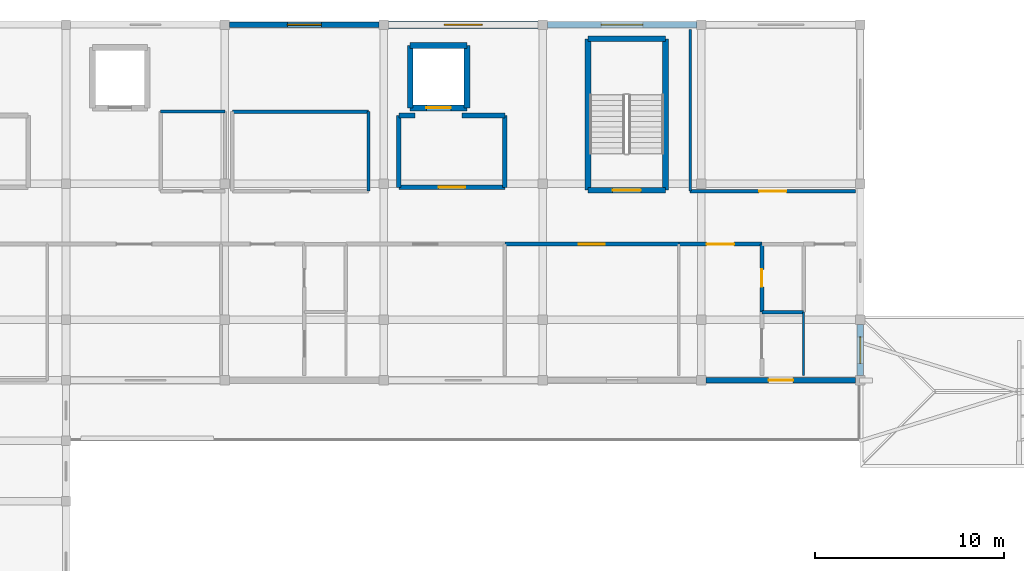
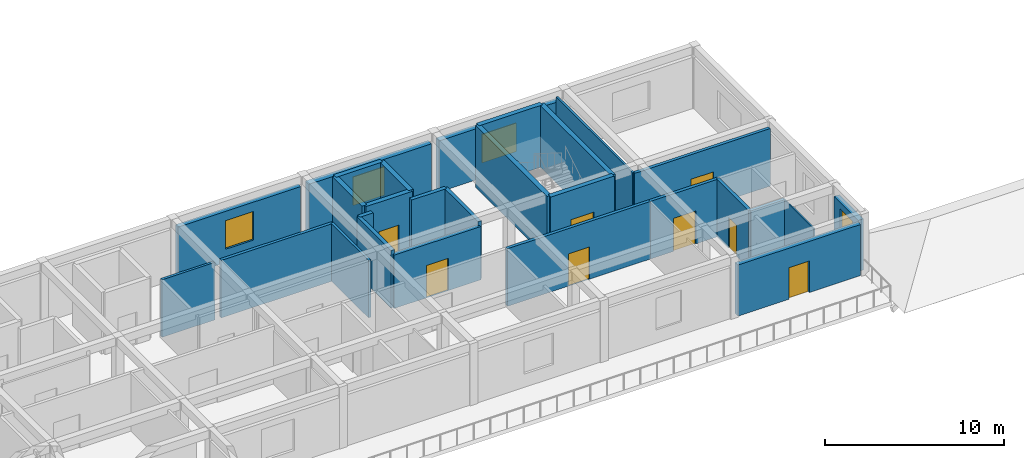
# One storey, part 13 of 26: 28 walls, 8 doors, 4 windows, 12 openings.
"""IFC4 building model written with IfcOpenShell, lengths in metres."""

from ifc_helpers import new_model, si_unit, direction, frame, frame_2d, origin, place, context, subcontext, project, spatial, rectangle, extrude, material, layer, layer_set, type_object, element, fill, save


model = new_model("IFC4")

# Units and contexts
model_context = context("Model", 3, precision=1e-05, world=origin(), true_north=direction((0.0, 1.0)))
body_context = subcontext(model_context, "Body", "Model", "MODEL_VIEW")
ifc_project = project(units=[si_unit("LENGTHUNIT", "METRE"), si_unit("AREAUNIT", "SQUARE_METRE"), si_unit("VOLUMEUNIT", "CUBIC_METRE"), si_unit("PLANEANGLEUNIT", "RADIAN"), si_unit("MASSUNIT", "GRAM", prefix="KILO")], contexts=[model_context])

# Site, building, storey
site_placement = place(None, origin())
site = spatial("IfcSite", under=ifc_project, at=site_placement, CompositionType="ELEMENT")
building_placement = place(site_placement, origin())
building = spatial("IfcBuilding", under=site, at=building_placement, Name="Varncliffe General Hospital", CompositionType="ELEMENT")
storey_placement = place(building_placement, frame((0.0, 0.0, 28.800048828125)))
storey = spatial("IfcBuildingStorey", under=building, at=storey_placement, Name="L06", CompositionType="ELEMENT", Elevation=28.800048828125)

# Wall, opening, door
ifc_material_1 = material(Name="Precast concrete C40/50 with insulated cream lime-cement stucco", Category="concrete")
ifc_layer_1 = layer(ifc_material_1, 0.31005859375)
ifc_layer_set_1 = layer_set([ifc_layer_1], Name="Precast concrete C40/50 with insulated cream lime-cement stucco")
wall_type_1 = type_object("IfcWallType", Name="Exterior Insulated Stucco Wall EW20 (310mm)", PredefinedType="SOLIDWALL", material=ifc_layer_set_1)
wall_1_placement = place(storey_placement, frame((66.951904296875, 106.0, 0.0), z_axis=(0.0, 0.0, 1.0), x_axis=(-1.0, 0.0, 0.0)))
wall_1 = element("IfcWall", 1, at=wall_1_placement, inside=storey, type_object=wall_type_1, Name="L06 Exterior Stucco Wall EW20-495", PredefinedType="SOLIDWALL", context=body_context, shape_type="SweptSolid", body=[
    extrude(rectangle(XDim=7.90380859375, YDim=0.31005859375, at=frame_2d((3.951904296875, 0.0))), origin(), (0.0, 0.0, 1.0), 3.47998046875),
])
opening_1_placement = place(wall_1_placement, frame((3.302001953125, 0.0, 0.0)))
opening_1 = element("IfcOpeningElement", 2, at=opening_1_placement, cuts=wall_1, Name="Opening DE35", PredefinedType="OPENING", context=body_context, shape_type="SweptSolid", body=[
    extrude(rectangle(XDim=1.300048828125, YDim=2.14990234375, at=frame_2d((0.64990234375, 1.074951171875))), frame((0.0, 0.1650390625, 0.0), z_axis=(0.0, -1.0, 0.0), x_axis=(1.0, 0.0, 0.0)), (0.0, 0.0, 1.0), 0.330078125),
])
ifc_material_2 = material(Name="Thermally broken bronze-anodized aluminium and safety glass door", Category="aluminium")
door_type_1 = type_object("IfcDoorType", Name="Exterior Pedestrian Door DE35 (1300x2150)", OperationType="NOTDEFINED", PredefinedType="DOOR", material=ifc_material_2)
door_1_placement = place(opening_1_placement, origin())
door_1 = element("IfcDoor", 3, at=door_1_placement, inside=storey, type_object=door_type_1, Name="L06 Healing Terrace Access Door 41", OperationType="SINGLE_SWING_RIGHT", OverallHeight=2.14990234375, OverallWidth=1.300048828125, PredefinedType="DOOR", context=body_context, shape_type="SweptSolid", body=[
    extrude(rectangle(XDim=1.300048828125, YDim=2.14990234375, at=frame_2d((0.64990234375, 1.074951171875))), frame((0.0, 0.02490234375, 0.0), z_axis=(0.0, -1.0, 0.0), x_axis=(1.0, 0.0, 0.0)), (0.0, 0.0, 1.0), 0.050048828125),
])
fill(opening_1, door_1)

# Wall, opening, window
ifc_layer_2 = layer(ifc_material_1, 0.3798828125)
ifc_layer_set_2 = layer_set([ifc_layer_2], Name="Precast concrete C40/50 with insulated cream lime-cement stucco")
wall_type_2 = type_object("IfcWallType", Name="Exterior Insulated Stucco Wall EW26 (380mm)", PredefinedType="SOLIDWALL", material=ifc_layer_set_2)
wall_2_placement = place(storey_placement, frame((42.248046875, 124.800048828125, 0.0), z_axis=(0.0, 0.0, 1.0), x_axis=(1.0, 0.0, 0.0)))
wall_2 = element("IfcWall", 4, at=wall_2_placement, inside=storey, type_object=wall_type_2, Name="L06 Exterior Stucco Wall EW26-489", PredefinedType="SOLIDWALL", context=body_context, shape_type="SweptSolid", body=[
    extrude(rectangle(XDim=7.904052734375, YDim=0.3798828125, at=frame_2d((3.9521484375, 0.0))), origin(), (0.0, 0.0, 1.0), 3.47998046875),
])
opening_2_placement = place(wall_2_placement, frame((2.951904296875, 0.0, 0.89990234375)))
opening_2 = element("IfcOpeningElement", 5, at=opening_2_placement, cuts=wall_2, Name="Opening WN79", PredefinedType="OPENING", context=body_context, shape_type="SweptSolid", body=[
    extrude(rectangle(XDim=2.0, YDim=1.949951171875, at=frame_2d((1.0, 0.97509765625))), frame((0.0, 0.199951171875, 0.0), z_axis=(0.0, -1.0, 0.0), x_axis=(1.0, 0.0, 0.0)), (0.0, 0.0, 1.0), 0.39990234375),
])
ifc_material_3 = material(Name="Triple low-E argon insulated vision glazing", Category="glass")
window_type_1 = type_object("IfcWindowType", Name="Triple-Glazed Hospital Window WN79 (2000x1950)", PartitioningType="DOUBLE_PANEL_VERTICAL", PredefinedType="WINDOW", material=ifc_material_3)
window_1_placement = place(opening_2_placement, origin())
window_1 = element("IfcWindow", 6, at=window_1_placement, inside=storey, type_object=window_type_1, Name="L06 Hospital Window WN79-381", OverallHeight=1.949951171875, OverallWidth=2.0, PartitioningType="DOUBLE_PANEL_VERTICAL", PredefinedType="WINDOW", context=body_context, shape_type="SweptSolid", body=[
    extrude(rectangle(XDim=2.0, YDim=1.949951171875, at=frame_2d((1.0, 0.97509765625))), frame((0.0, 0.030029296875, 0.0), z_axis=(0.0, -1.0, 0.0), x_axis=(1.0, 0.0, 0.0)), (0.0, 0.0, 1.0), 0.06005859375),
])
fill(opening_2, window_1)

ifc_layer_3 = layer(ifc_material_1, 0.2900390625)
ifc_layer_set_3 = layer_set([ifc_layer_3], Name="Precast concrete C40/50 with insulated cream lime-cement stucco")
wall_type_3 = type_object("IfcWallType", Name="Exterior Insulated Stucco Wall EW31 (290mm)", PredefinedType="SOLIDWALL", material=ifc_layer_set_3)
wall_3_placement = place(storey_placement, frame((33.847900390625, 124.800048828125, 0.0), z_axis=(0.0, 0.0, 1.0), x_axis=(1.0, 0.0, 0.0)))
wall_3 = element("IfcWall", 7, at=wall_3_placement, inside=storey, type_object=wall_type_3, Name="L06 Exterior Stucco Wall EW31-488", PredefinedType="SOLIDWALL", context=body_context, shape_type="SweptSolid", body=[
    extrude(rectangle(XDim=7.904052734375, YDim=0.2900390625, at=frame_2d((3.9521484375, 0.0))), origin(), (0.0, 0.0, 1.0), 3.47998046875),
])
opening_3_placement = place(wall_3_placement, frame((3.052001953125, 0.0, 0.89990234375)))
opening_3 = element("IfcOpeningElement", 8, at=opening_3_placement, cuts=wall_3, Name="Opening WN78", PredefinedType="OPENING", context=body_context, shape_type="SweptSolid", body=[
    extrude(rectangle(XDim=1.800048828125, YDim=1.949951171875, at=frame_2d((0.89990234375, 0.97509765625))), frame((0.0, 0.155029296875, 0.0), z_axis=(0.0, -1.0, 0.0), x_axis=(1.0, 0.0, 0.0)), (0.0, 0.0, 1.0), 0.31005859375),
])
window_type_2 = type_object("IfcWindowType", Name="Triple-Glazed Hospital Window WN78 (1800x1950)", PartitioningType="DOUBLE_PANEL_VERTICAL", PredefinedType="WINDOW", material=ifc_material_3)
window_2_placement = place(opening_3_placement, origin())
window_2 = element("IfcWindow", 9, at=window_2_placement, inside=storey, type_object=window_type_2, Name="L06 Hospital Window WN78-380", OverallHeight=1.949951171875, OverallWidth=1.800048828125, PartitioningType="DOUBLE_PANEL_VERTICAL", PredefinedType="WINDOW", context=body_context, shape_type="SweptSolid", body=[
    extrude(rectangle(XDim=1.800048828125, YDim=1.949951171875, at=frame_2d((0.89990234375, 0.97509765625))), frame((0.0, 0.030029296875, 0.0), z_axis=(0.0, -1.0, 0.0), x_axis=(1.0, 0.0, 0.0)), (0.0, 0.0, 1.0), 0.06005859375),
])
fill(opening_3, window_2)

ifc_layer_4 = layer(ifc_material_1, 0.330078125)
ifc_layer_set_4 = layer_set([ifc_layer_4], Name="Precast concrete C40/50 with insulated cream lime-cement stucco")
wall_type_4 = type_object("IfcWallType", Name="Exterior Insulated Stucco Wall EW33 (330mm)", PredefinedType="SOLIDWALL", material=ifc_layer_set_4)
wall_4_placement = place(storey_placement, frame((67.199951171875, 108.951904296875, 0.0), z_axis=(0.0, 0.0, 1.0), x_axis=(0.0, -1.0, 0.0)))
wall_4 = element("IfcWall", 10, at=wall_4_placement, inside=storey, type_object=wall_type_4, Name="L06 Exterior Stucco Wall EW33-494", PredefinedType="SOLIDWALL", context=body_context, shape_type="SweptSolid", body=[
    extrude(rectangle(XDim=2.703857421875, YDim=0.330078125, at=frame_2d((1.35205078125, 0.0))), origin(), (0.0, 0.0, 1.0), 3.47998046875),
])
opening_4_placement = place(wall_4_placement, frame((0.652099609375, 0.0, 0.89990234375)))
opening_4 = element("IfcOpeningElement", 11, at=opening_4_placement, cuts=wall_4, Name="Opening WN11", PredefinedType="OPENING", context=body_context, shape_type="SweptSolid", body=[
    extrude(rectangle(XDim=1.39990234375, YDim=2.14990234375, at=frame_2d((0.699951171875, 1.074951171875))), frame((0.0, 0.175048828125, 0.0), z_axis=(0.0, -1.0, 0.0), x_axis=(1.0, 0.0, 0.0)), (0.0, 0.0, 1.0), 0.35009765625),
])
window_type_3 = type_object("IfcWindowType", Name="Triple-Glazed Hospital Window WN11 (1400x2150)", PartitioningType="SINGLE_PANEL", PredefinedType="WINDOW", material=ifc_material_3)
window_3_placement = place(opening_4_placement, origin())
window_3 = element("IfcWindow", 12, at=window_3_placement, inside=storey, type_object=window_type_3, Name="L06 Hospital Window WN11-386", OverallHeight=2.14990234375, OverallWidth=1.39990234375, PartitioningType="SINGLE_PANEL", PredefinedType="WINDOW", context=body_context, shape_type="SweptSolid", body=[
    extrude(rectangle(XDim=1.39990234375, YDim=2.14990234375, at=frame_2d((0.699951171875, 1.074951171875))), frame((0.0, 0.030029296875, 0.0), z_axis=(0.0, -1.0, 0.0), x_axis=(1.0, 0.0, 0.0)), (0.0, 0.0, 1.0), 0.06005859375),
])
fill(opening_4, window_3)

ifc_layer_5 = layer(ifc_material_1, 0.35009765625)
ifc_layer_set_5 = layer_set([ifc_layer_5], Name="Precast concrete C40/50 with insulated cream lime-cement stucco")
wall_type_5 = type_object("IfcWallType", Name="Exterior Insulated Stucco Wall EW37 (350mm)", PredefinedType="SOLIDWALL", material=ifc_layer_set_5)
wall_5_placement = place(storey_placement, frame((50.64794921875, 124.800048828125, 0.0), z_axis=(0.0, 0.0, 1.0), x_axis=(1.0, 0.0, 0.0)))
wall_5 = element("IfcWall", 13, at=wall_5_placement, inside=storey, type_object=wall_type_5, Name="L06 Exterior Stucco Wall EW37-490", PredefinedType="SOLIDWALL", context=body_context, shape_type="SweptSolid", body=[
    extrude(rectangle(XDim=7.904052734375, YDim=0.35009765625, at=frame_2d((3.9521484375, 0.0))), origin(), (0.0, 0.0, 1.0), 3.47998046875),
])
opening_5_placement = place(wall_5_placement, frame((2.85205078125, 0.0, 0.89990234375)))
opening_5 = element("IfcOpeningElement", 14, at=opening_5_placement, cuts=wall_5, Name="Opening WN35", PredefinedType="OPENING", context=body_context, shape_type="SweptSolid", body=[
    extrude(rectangle(XDim=2.199951171875, YDim=1.949951171875, at=frame_2d((1.10009765625, 0.97509765625))), frame((0.0, 0.18505859375, 0.0), z_axis=(0.0, -1.0, 0.0), x_axis=(1.0, 0.0, 0.0)), (0.0, 0.0, 1.0), 0.3701171875),
])
window_type_4 = type_object("IfcWindowType", Name="Triple-Glazed Hospital Window WN35 (2200x1950)", PartitioningType="DOUBLE_PANEL_VERTICAL", PredefinedType="WINDOW", material=ifc_material_3)
window_4_placement = place(opening_5_placement, origin())
window_4 = element("IfcWindow", 15, at=window_4_placement, inside=storey, type_object=window_type_4, Name="L06 Hospital Window WN35-382", OverallHeight=1.949951171875, OverallWidth=2.199951171875, PartitioningType="DOUBLE_PANEL_VERTICAL", PredefinedType="WINDOW", context=body_context, shape_type="SweptSolid", body=[
    extrude(rectangle(XDim=2.199951171875, YDim=1.949951171875, at=frame_2d((1.10009765625, 0.97509765625))), frame((0.0, 0.030029296875, 0.0), z_axis=(0.0, -1.0, 0.0), x_axis=(1.0, 0.0, 0.0)), (0.0, 0.0, 1.0), 0.06005859375),
])
fill(opening_5, window_4)

# Walls
ifc_material_4 = material(Name="Acoustic clinical gypsum stud partition assembly", Category="gypsum")
ifc_layer_6 = layer(ifc_material_4, 0.1298828125)
ifc_layer_set_6 = layer_set([ifc_layer_6], Name="Acoustic clinical gypsum stud partition assembly")
wall_type_6 = type_object("IfcWallType", Name="Interior Partitioning IW11 (130mm)", PredefinedType="PARTITIONING", material=ifc_layer_set_6)
wall_6_placement = place(storey_placement, frame((58.199951171875, 116.0, 0.0), z_axis=(0.0, 0.0, 1.0), x_axis=(0.0, 1.0, 0.0)))
element("IfcWall", 16, at=wall_6_placement, inside=storey, type_object=wall_type_6, Name="L06 Interior Partition Wall IW11-2288", PredefinedType="PARTITIONING", context=body_context, shape_type="SweptSolid", body=[
    extrude(rectangle(XDim=8.5400390625, YDim=0.1298828125, at=frame_2d((4.27001953125, 0.0))), origin(), (0.0, 0.0, 1.0), 3.919921875),
])
ifc_layer_7 = layer(ifc_material_4, 0.090087890625)
ifc_layer_set_7 = layer_set([ifc_layer_7], Name="Acoustic clinical gypsum stud partition assembly")
wall_type_7 = type_object("IfcWallType", Name="Interior Partitioning IW42 (90mm)", PredefinedType="PARTITIONING", material=ifc_layer_set_7)
wall_7_placement = place(storey_placement, frame((64.199951171875, 106.260009765625, 0.0), z_axis=(0.0, 0.0, 1.0), x_axis=(0.0, 1.0, 0.0)))
element("IfcWall", 17, at=wall_7_placement, inside=storey, type_object=wall_type_7, Name="L06 Interior Partition Wall IW42-2291", PredefinedType="PARTITIONING", context=body_context, shape_type="SweptSolid", body=[
    extrude(rectangle(XDim=3.340087890625, YDim=0.090087890625, at=frame_2d((1.669921875, 0.0))), origin(), (0.0, 0.0, 1.0), 3.919921875),
])

# Wall, opening, door
ifc_material_5 = material(Name="Fire-rated gypsum and mineral-wool partition assembly", Category="gypsum")
ifc_layer_8 = layer(ifc_material_5, 0.25)
ifc_layer_set_8 = layer_set([ifc_layer_8], Name="Fire-rated gypsum and mineral-wool partition assembly")
wall_type_8 = type_object("IfcWallType", Name="Interior Partitioning PW38 (250mm)", PredefinedType="PARTITIONING", material=ifc_layer_set_8)
wall_8_placement = place(storey_placement, frame((42.800048828125, 116.199951171875, 0.0), z_axis=(0.0, 0.0, 1.0), x_axis=(1.0, 0.0, 0.0)))
wall_8 = element("IfcWall", 18, at=wall_8_placement, inside=storey, type_object=wall_type_8, Name="L06 Interior Partition Wall PW38-2247", PredefinedType="PARTITIONING", context=body_context, shape_type="SweptSolid", body=[
    extrude(rectangle(XDim=5.599853515625, YDim=0.25, at=frame_2d((2.7998046875, 0.0))), origin(), (0.0, 0.0, 1.0), 3.635009765625),
])
opening_6_placement = place(wall_8_placement, frame((2.10009765625, 0.0, 0.0)))
opening_6 = element("IfcOpeningElement", 19, at=opening_6_placement, cuts=wall_8, Name="Opening DF81", PredefinedType="OPENING", context=body_context, shape_type="SweptSolid", body=[
    extrude(rectangle(XDim=1.39990234375, YDim=2.199951171875, at=frame_2d((0.699951171875, 1.10009765625))), frame((0.0, 0.135009765625, 0.0), z_axis=(0.0, -1.0, 0.0), x_axis=(1.0, 0.0, 0.0)), (0.0, 0.0, 1.0), 0.27001953125),
])
ifc_material_6 = material(Name="Fire-rated hospital steel-frame vision-panel door", Category="steel")
door_type_2 = type_object("IfcDoorType", Name="Interior Hospital Door DF81 (1400x2200)", OperationType="NOTDEFINED", PredefinedType="DOOR", material=ifc_material_6)
door_2_placement = place(opening_6_placement, origin())
door_2 = element("IfcDoor", 20, at=door_2_placement, inside=storey, type_object=door_type_2, Name="L06 Firefighting Lift Lobby LF02 Door", OperationType="SINGLE_SWING_LEFT", OverallHeight=2.199951171875, OverallWidth=1.39990234375, PredefinedType="DOOR", context=body_context, shape_type="SweptSolid", body=[
    extrude(rectangle(XDim=1.39990234375, YDim=2.199951171875, at=frame_2d((0.699951171875, 1.10009765625))), frame((0.0, 0.02490234375, 0.0), z_axis=(0.0, -1.0, 0.0), x_axis=(1.0, 0.0, 0.0)), (0.0, 0.0, 1.0), 0.050048828125),
])
fill(opening_6, door_2)

# Walls
wall_9_placement = place(storey_placement, frame((46.135986328125, 120.0, 0.0), z_axis=(0.0, 0.0, 1.0), x_axis=(1.0, 0.0, 0.0)))
element("IfcWall", 21, at=wall_9_placement, inside=storey, type_object=wall_type_8, Name="L06 Interior Partition Wall PW38-2251", PredefinedType="PARTITIONING", context=body_context, shape_type="SweptSolid", body=[
    extrude(rectangle(XDim=2.263916015625, YDim=0.25, at=frame_2d((1.1318359375, 0.0))), origin(), (0.0, 0.0, 1.0), 3.919921875),
])
wall_10_placement = place(storey_placement, frame((42.800048828125, 120.0, 0.0), z_axis=(0.0, 0.0, 1.0), x_axis=(1.0, 0.0, 0.0)))
element("IfcWall", 22, at=wall_10_placement, inside=storey, type_object=wall_type_8, Name="L06 Interior Partition Wall PW38-2252", PredefinedType="PARTITIONING", context=body_context, shape_type="SweptSolid", body=[
    extrude(rectangle(XDim=0.864013671875, YDim=0.25, at=frame_2d((0.43212890625, 0.0))), origin(), (0.0, 0.0, 1.0), 3.919921875),
])
ifc_layer_9 = layer(ifc_material_5, 0.22998046875)
ifc_layer_set_9 = layer_set([ifc_layer_9], Name="Fire-rated gypsum and mineral-wool partition assembly")
wall_type_9 = type_object("IfcWallType", Name="Interior Partitioning PW48 (230mm)", PredefinedType="PARTITIONING", material=ifc_layer_set_9)
for number, where, z_axis, x_axis, name in (
    (23, (42.800048828125, 116.199951171875, 0.0), (0.0, 0.0, 1.0), (0.0, 1.0, 0.0), "L06 Interior Partition Wall PW48-2284"),
    (24, (48.39990234375, 116.199951171875, 0.0), (0.0, 0.0, 1.0), (0.0, 1.0, 0.0), "L06 Interior Partition Wall PW48-2286"),
):
    element("IfcWall", number, at=place(storey_placement, frame(where, z_axis=z_axis, x_axis=x_axis)), inside=storey, type_object=wall_type_9, Name=name, PredefinedType="PARTITIONING", context=body_context, shape_type="SweptSolid", body=[
        extrude(rectangle(XDim=3.800048828125, YDim=0.22998046875, at=frame_2d((1.89990234375, 0.0))), origin(), (0.0, 0.0, 1.0), 3.919921875),
    ])

# Wall, opening, door
ifc_layer_10 = layer(ifc_material_5, 0.199951171875)
ifc_layer_set_10 = layer_set([ifc_layer_10], Name="Fire-rated gypsum and mineral-wool partition assembly")
wall_type_10 = type_object("IfcWallType", Name="Interior Partitioning PW63 (200mm)", PredefinedType="PARTITIONING", material=ifc_layer_set_10)
wall_11_placement = place(storey_placement, frame((48.39990234375, 113.199951171875, 0.0), z_axis=(0.0, 0.0, 1.0), x_axis=(1.0, 0.0, 0.0)))
wall_11 = element("IfcWall", 25, at=wall_11_placement, inside=storey, type_object=wall_type_10, Name="L06 Interior Partition Wall PW63-2220", PredefinedType="PARTITIONING", context=body_context, shape_type="SweptSolid", body=[
    extrude(rectangle(XDim=9.2001953125, YDim=0.199951171875, at=frame_2d((4.60009765625, 0.0))), origin(), (0.0, 0.0, 1.0), 3.919921875),
])
opening_7_placement = place(wall_11_placement, frame((3.925048828125, 0.0, 0.0)))
opening_7 = element("IfcOpeningElement", 26, at=opening_7_placement, cuts=wall_11, Name="Opening DC85", PredefinedType="OPENING", context=body_context, shape_type="SweptSolid", body=[
    extrude(rectangle(XDim=1.35009765625, YDim=2.199951171875, at=frame_2d((0.675048828125, 1.10009765625))), frame((0.0, 0.10986328125, 0.0), z_axis=(0.0, -1.0, 0.0), x_axis=(1.0, 0.0, 0.0)), (0.0, 0.0, 1.0), 0.219970703125),
])
door_type_3 = type_object("IfcDoorType", Name="Interior Hospital Door DC85 (1350x2200)", OperationType="NOTDEFINED", PredefinedType="DOOR", material=ifc_material_6)
door_3_placement = place(opening_7_placement, frame((1.35009765625, 0.0, 0.0), z_axis=(0.0, 0.0, 1.0), x_axis=(-1.0, 0.0, 0.0)))
door_3 = element("IfcDoor", 27, at=door_3_placement, inside=storey, type_object=door_type_3, Name="L06 Neonatal Intensive Care Nursery NICU 27 Door", OperationType="SINGLE_SWING_LEFT", OverallHeight=2.199951171875, OverallWidth=1.35009765625, PredefinedType="DOOR", context=body_context, shape_type="SweptSolid", body=[
    extrude(rectangle(XDim=1.35009765625, YDim=2.199951171875, at=frame_2d((0.675048828125, 1.10009765625))), frame((0.0, 0.02490234375, 0.0), z_axis=(0.0, -1.0, 0.0), x_axis=(1.0, 0.0, 0.0)), (0.0, 0.0, 1.0), 0.050048828125),
])
fill(opening_7, door_3)

wall_12_placement = place(storey_placement, frame((57.60009765625, 113.199951171875, 0.0), z_axis=(0.0, 0.0, 1.0), x_axis=(1.0, 0.0, 0.0)))
wall_12 = element("IfcWall", 28, at=wall_12_placement, inside=storey, type_object=wall_type_10, Name="L06 Interior Partition Wall PW63-2221", PredefinedType="PARTITIONING", context=body_context, shape_type="SweptSolid", body=[
    extrude(rectangle(XDim=4.39990234375, YDim=0.199951171875, at=frame_2d((2.199951171875, 0.0))), origin(), (0.0, 0.0, 1.0), 3.919921875),
])
opening_8_placement = place(wall_12_placement, frame((1.47509765625, 0.0, 0.0)))
opening_8 = element("IfcOpeningElement", 29, at=opening_8_placement, cuts=wall_12, Name="Opening DC66", PredefinedType="OPENING", context=body_context, shape_type="SweptSolid", body=[
    extrude(rectangle(XDim=1.449951171875, YDim=2.25, at=frame_2d((0.72509765625, 1.125))), frame((0.0, 0.10986328125, 0.0), z_axis=(0.0, -1.0, 0.0), x_axis=(1.0, 0.0, 0.0)), (0.0, 0.0, 1.0), 0.219970703125),
])
door_type_4 = type_object("IfcDoorType", Name="Interior Hospital Door DC66 (1450x2250)", OperationType="NOTDEFINED", PredefinedType="DOOR", material=ifc_material_6)
door_4_placement = place(opening_8_placement, frame((1.449951171875, 0.0, 0.0), z_axis=(0.0, 0.0, 1.0), x_axis=(-1.0, 0.0, 0.0)))
door_4 = element("IfcDoor", 30, at=door_4_placement, inside=storey, type_object=door_type_4, Name="L06 Paediatric Inpatient Bedroom 28 Door", OperationType="SINGLE_SWING_RIGHT", OverallHeight=2.25, OverallWidth=1.449951171875, PredefinedType="DOOR", context=body_context, shape_type="SweptSolid", body=[
    extrude(rectangle(XDim=1.449951171875, YDim=2.25, at=frame_2d((0.72509765625, 1.125))), frame((0.0, 0.02490234375, 0.0), z_axis=(0.0, -1.0, 0.0), x_axis=(1.0, 0.0, 0.0)), (0.0, 0.0, 1.0), 0.050048828125),
])
fill(opening_8, door_4)

wall_13_placement = place(storey_placement, frame((58.199951171875, 116.0, 0.0), z_axis=(0.0, 0.0, 1.0), x_axis=(1.0, 0.0, 0.0)))
wall_13 = element("IfcWall", 31, at=wall_13_placement, inside=storey, type_object=wall_type_10, Name="L06 Interior Partition Wall PW63-2239", PredefinedType="PARTITIONING", context=body_context, shape_type="SweptSolid", body=[
    extrude(rectangle(XDim=8.739990234375, YDim=0.199951171875, at=frame_2d((4.3701171875, 0.0))), origin(), (0.0, 0.0, 1.0), 3.919921875),
])
opening_9_placement = place(wall_13_placement, frame((3.64501953125, 0.0, 0.0)))
opening_9 = element("IfcOpeningElement", 32, at=opening_9_placement, cuts=wall_13, Name="Opening DC66", PredefinedType="OPENING", context=body_context, shape_type="SweptSolid", body=[
    extrude(rectangle(XDim=1.449951171875, YDim=2.25, at=frame_2d((0.72509765625, 1.125))), frame((0.0, 0.10986328125, 0.0), z_axis=(0.0, -1.0, 0.0), x_axis=(1.0, 0.0, 0.0)), (0.0, 0.0, 1.0), 0.219970703125),
])
door_5_placement = place(opening_9_placement, origin())
door_5 = element("IfcDoor", 33, at=door_5_placement, inside=storey, type_object=door_type_4, Name="L06 Neonatal Intensive Care Nursery NICU 48 Door", OperationType="SINGLE_SWING_RIGHT", OverallHeight=2.25, OverallWidth=1.449951171875, PredefinedType="DOOR", context=body_context, shape_type="SweptSolid", body=[
    extrude(rectangle(XDim=1.449951171875, YDim=2.25, at=frame_2d((0.72509765625, 1.125))), frame((0.0, 0.02490234375, 0.0), z_axis=(0.0, -1.0, 0.0), x_axis=(1.0, 0.0, 0.0)), (0.0, 0.0, 1.0), 0.050048828125),
])
fill(opening_9, door_5)

wall_14_placement = place(storey_placement, frame((62.0, 109.60009765625, 0.0), z_axis=(0.0, 0.0, 1.0), x_axis=(0.0, 1.0, 0.0)))
wall_14 = element("IfcWall", 34, at=wall_14_placement, inside=storey, type_object=wall_type_10, Name="L06 Interior Partition Wall PW63-2290", PredefinedType="PARTITIONING", context=body_context, shape_type="SweptSolid", body=[
    extrude(rectangle(XDim=3.599853515625, YDim=0.199951171875, at=frame_2d((1.7998046875, 0.0))), origin(), (0.0, 0.0, 1.0), 3.919921875),
])
opening_10_placement = place(wall_14_placement, frame((1.340087890625, 0.0, 0.0)))
opening_10 = element("IfcOpeningElement", 35, at=opening_10_placement, cuts=wall_14, Name="Opening DI70", PredefinedType="OPENING", context=body_context, shape_type="SweptSolid", body=[
    extrude(rectangle(XDim=0.919921875, YDim=2.10009765625, at=frame_2d((0.4599609375, 1.050048828125))), frame((0.0, 0.10986328125, 0.0), z_axis=(0.0, -1.0, 0.0), x_axis=(1.0, 0.0, 0.0)), (0.0, 0.0, 1.0), 0.219970703125),
])
ifc_material_7 = material(Name="Solid-core antimicrobial hospital oak veneer door", Category="wood")
door_type_5 = type_object("IfcDoorType", Name="Interior Hospital Door DI70 (920x2100)", OperationType="NOTDEFINED", PredefinedType="DOOR", material=ifc_material_7)
door_6_placement = place(opening_10_placement, frame((0.919921875, 0.0, 0.0), z_axis=(0.0, 0.0, 1.0), x_axis=(-1.0, 0.0, 0.0)))
door_6 = element("IfcDoor", 36, at=door_6_placement, inside=storey, type_object=door_type_5, Name="L06 En-Suite Bathroom 29 Door", OperationType="SINGLE_SWING_RIGHT", OverallHeight=2.10009765625, OverallWidth=0.919921875, PredefinedType="DOOR", context=body_context, shape_type="SweptSolid", body=[
    extrude(rectangle(XDim=0.919921875, YDim=2.10009765625, at=frame_2d((0.4599609375, 1.050048828125))), frame((0.0, 0.02490234375, 0.0), z_axis=(0.0, -1.0, 0.0), x_axis=(1.0, 0.0, 0.0)), (0.0, 0.0, 1.0), 0.050048828125),
])
fill(opening_10, door_6)

# Walls
ifc_material_8 = material(Name="Moisture-resistant plumbing chase wall assembly", Category="gypsum")
ifc_layer_11 = layer(ifc_material_8, 0.18994140625)
ifc_layer_set_11 = layer_set([ifc_layer_11], Name="Moisture-resistant plumbing chase wall assembly")
wall_type_11 = type_object("IfcWallType", Name="Interior Plumbingwall MW17 (190mm)", PredefinedType="PLUMBINGWALL", material=ifc_layer_set_11)
wall_15_placement = place(storey_placement, frame((62.0, 109.60009765625, 0.0), z_axis=(0.0, 0.0, 1.0), x_axis=(1.0, 0.0, 0.0)))
element("IfcWall", 37, at=wall_15_placement, inside=storey, type_object=wall_type_11, Name="L06 Interior Plumbing Wall MW17-2208", PredefinedType="PLUMBINGWALL", context=body_context, shape_type="SweptSolid", body=[
    extrude(rectangle(XDim=2.199951171875, YDim=0.18994140625, at=frame_2d((1.10009765625, 0.0))), origin(), (0.0, 0.0, 1.0), 3.919921875),
])
wall_16_placement = place(storey_placement, frame((34.0, 120.199951171875, 0.0), z_axis=(0.0, 0.0, 1.0), x_axis=(1.0, 0.0, 0.0)))
element("IfcWall", 38, at=wall_16_placement, inside=storey, type_object=wall_type_11, Name="L06 Interior Plumbing Wall MW17-2256", PredefinedType="PLUMBINGWALL", context=body_context, shape_type="SweptSolid", body=[
    extrude(rectangle(XDim=7.199951171875, YDim=0.18994140625, at=frame_2d((3.60009765625, 0.0))), origin(), (0.0, 0.0, 1.0), 3.919921875),
])
ifc_layer_12 = layer(ifc_material_8, 0.159912109375)
ifc_layer_set_12 = layer_set([ifc_layer_12], Name="Moisture-resistant plumbing chase wall assembly")
wall_type_12 = type_object("IfcWallType", Name="Interior Plumbingwall MW31 (160mm)", PredefinedType="PLUMBINGWALL", material=ifc_layer_set_12)
wall_17_placement = place(storey_placement, frame((30.199951171875, 120.199951171875, 0.0), z_axis=(0.0, 0.0, 1.0), x_axis=(1.0, 0.0, 0.0)))
element("IfcWall", 39, at=wall_17_placement, inside=storey, type_object=wall_type_12, Name="L06 Interior Plumbing Wall MW31-2255", PredefinedType="PLUMBINGWALL", context=body_context, shape_type="SweptSolid", body=[
    extrude(rectangle(XDim=3.400146484375, YDim=0.159912109375, at=frame_2d((1.7001953125, 0.0))), origin(), (0.0, 0.0, 1.0), 3.919921875),
])
wall_18_placement = place(storey_placement, frame((41.199951171875, 116.0, 0.0), z_axis=(0.0, 0.0, 1.0), x_axis=(0.0, 1.0, 0.0)))
element("IfcWall", 40, at=wall_18_placement, inside=storey, type_object=wall_type_12, Name="L06 Interior Plumbing Wall MW31-2283", PredefinedType="PLUMBINGWALL", context=body_context, shape_type="SweptSolid", body=[
    extrude(rectangle(XDim=4.199951171875, YDim=0.159912109375, at=frame_2d((2.10009765625, 0.0))), origin(), (0.0, 0.0, 1.0), 3.919921875),
])
ifc_material_9 = material(Name="Concrete C40/50 (CSA A23.1 40 MPa)", Category="concrete")
ifc_layer_13 = layer(ifc_material_9, 0.300048828125)
ifc_layer_set_13 = layer_set([ifc_layer_13], Name="Concrete C40/50 (CSA A23.1 40 MPa)")
wall_type_13 = type_object("IfcWallType", Name="Reinforced Concrete Core Shear Wall CW12 (300mm)", PredefinedType="SHEAR", material=ifc_layer_set_13)
wall_19_placement = place(storey_placement, frame((56.89990234375, 116.050048828125, 0.0), z_axis=(0.0, 0.0, 1.0), x_axis=(0.0, 1.0, 0.0)))
element("IfcWall", 41, at=wall_19_placement, inside=storey, type_object=wall_type_13, Name="L06 ST02 Core Shear Wall L", PredefinedType="SHEAR", context=body_context, shape_type="SweptSolid", body=[
    extrude(rectangle(XDim=8.0, YDim=0.300048828125, at=frame_2d((4.0, 0.0))), origin(), (0.0, 0.0, 1.0), 4.199951171875),
])
wall_20_placement = place(storey_placement, frame((56.89990234375, 124.050048828125, 0.0), z_axis=(0.0, 0.0, 1.0), x_axis=(-1.0, 0.0, 0.0)))
element("IfcWall", 42, at=wall_20_placement, inside=storey, type_object=wall_type_13, Name="L06 ST02 Core Shear Wall F", PredefinedType="SHEAR", context=body_context, shape_type="SweptSolid", body=[
    extrude(rectangle(XDim=4.099853515625, YDim=0.300048828125, at=frame_2d((2.0498046875, 0.0))), origin(), (0.0, 0.0, 1.0), 4.199951171875),
])
wall_21_placement = place(storey_placement, frame((52.800048828125, 124.050048828125, 0.0), z_axis=(0.0, 0.0, 1.0), x_axis=(0.0, -1.0, 0.0)))
element("IfcWall", 43, at=wall_21_placement, inside=storey, type_object=wall_type_13, Name="L06 ST02 Core Shear Wall R", PredefinedType="SHEAR", context=body_context, shape_type="SweptSolid", body=[
    extrude(rectangle(XDim=8.0, YDim=0.300048828125, at=frame_2d((4.0, 0.0))), origin(), (0.0, 0.0, 1.0), 4.199951171875),
])

# Wall, opening, door
wall_22_placement = place(storey_placement, frame((52.800048828125, 116.050048828125, 0.0), z_axis=(0.0, 0.0, 1.0), x_axis=(1.0, 0.0, 0.0)))
wall_22 = element("IfcWall", 44, at=wall_22_placement, inside=storey, type_object=wall_type_13, Name="L06 ST02 Core Shear Wall N", PredefinedType="SHEAR", context=body_context, shape_type="SweptSolid", body=[
    extrude(rectangle(XDim=4.099853515625, YDim=0.300048828125, at=frame_2d((2.0498046875, 0.0))), origin(), (0.0, 0.0, 1.0), 4.199951171875),
])
opening_11_placement = place(wall_22_placement, frame((1.300048828125, 0.0, 0.0)))
opening_11 = element("IfcOpeningElement", 45, at=opening_11_placement, cuts=wall_22, Name="Opening DF28", PredefinedType="OPENING", context=body_context, shape_type="SweptSolid", body=[
    extrude(rectangle(XDim=1.5, YDim=2.199951171875, at=frame_2d((0.75, 1.10009765625))), frame((0.0, 0.16015625, 0.0), z_axis=(0.0, -1.0, 0.0), x_axis=(1.0, 0.0, 0.0)), (0.0, 0.0, 1.0), 0.320068359375),
])
door_type_6 = type_object("IfcDoorType", Name="Interior Hospital Door DF28 (1500x2200)", OperationType="NOTDEFINED", PredefinedType="DOOR", material=ifc_material_6)
door_7_placement = place(opening_11_placement, frame((1.5, 0.0, 0.0), z_axis=(0.0, 0.0, 1.0), x_axis=(-1.0, 0.0, 0.0)))
door_7 = element("IfcDoor", 46, at=door_7_placement, inside=storey, type_object=door_type_6, Name="L06 ST02 Protected Exit Stair Door", OperationType="SINGLE_SWING_LEFT", OverallHeight=2.199951171875, OverallWidth=1.5, PredefinedType="DOOR", context=body_context, shape_type="SweptSolid", body=[
    extrude(rectangle(XDim=1.5, YDim=2.199951171875, at=frame_2d((0.75, 1.10009765625))), frame((0.0, 0.02490234375, 0.0), z_axis=(0.0, -1.0, 0.0), x_axis=(1.0, 0.0, 0.0)), (0.0, 0.0, 1.0), 0.050048828125),
])
fill(opening_11, door_7)

wall_23_placement = place(storey_placement, frame((43.39990234375, 120.39990234375, 0.0), z_axis=(0.0, 0.0, 1.0), x_axis=(1.0, 0.0, 0.0)))
wall_23 = element("IfcWall", 47, at=wall_23_placement, inside=storey, type_object=wall_type_13, Name="L06 LF02 Elevator Shaft Wall South", PredefinedType="SHEAR", context=body_context, shape_type="SweptSolid", body=[
    extrude(rectangle(XDim=3.0, YDim=0.300048828125, at=frame_2d((1.5, 0.0))), origin(), (0.0, 0.0, 1.0), 4.199951171875),
])
opening_12_placement = place(wall_23_placement, frame((0.85009765625, 0.0, 0.0)))
opening_12 = element("IfcOpeningElement", 48, at=opening_12_placement, cuts=wall_23, Name="Opening LD02", PredefinedType="OPENING", context=body_context, shape_type="SweptSolid", body=[
    extrude(rectangle(XDim=1.300048828125, YDim=2.199951171875, at=frame_2d((0.64990234375, 1.10009765625))), frame((0.0, 0.16015625, 0.0), z_axis=(0.0, -1.0, 0.0), x_axis=(1.0, 0.0, 0.0)), (0.0, 0.0, 1.0), 0.320068359375),
])
ifc_material_10 = material(Name="Brushed stainless-steel sliding elevator landing door", Category="steel")
door_type_7 = type_object("IfcDoorType", Name="Lift Landing Door LD02 (1300x2200)", OperationType="DOUBLE_DOOR_SLIDING", PredefinedType="DOOR", material=ifc_material_10)
door_8_placement = place(opening_12_placement, origin())
door_8 = element("IfcDoor", 49, at=door_8_placement, inside=storey, type_object=door_type_7, Name="Lift Landing Door LF02 L06", OperationType="DOUBLE_DOOR_SLIDING", OverallHeight=2.199951171875, OverallWidth=1.300048828125, PredefinedType="DOOR", context=body_context, shape_type="SweptSolid", body=[
    extrude(rectangle(XDim=1.300048828125, YDim=2.199951171875, at=frame_2d((0.64990234375, 1.10009765625))), frame((0.0, 0.02490234375, 0.0), z_axis=(0.0, -1.0, 0.0), x_axis=(1.0, 0.0, 0.0)), (0.0, 0.0, 1.0), 0.050048828125),
])
fill(opening_12, door_8)

# Walls
wall_24_placement = place(storey_placement, frame((46.39990234375, 120.39990234375, 0.0), z_axis=(0.0, 0.0, 1.0), x_axis=(0.0, 1.0, 0.0)))
element("IfcWall", 50, at=wall_24_placement, inside=storey, type_object=wall_type_13, Name="L06 LF02 Elevator Shaft Wall East", PredefinedType="SHEAR", context=body_context, shape_type="SweptSolid", body=[
    extrude(rectangle(XDim=3.300048828125, YDim=0.300048828125, at=frame_2d((1.64990234375, 0.0))), origin(), (0.0, 0.0, 1.0), 4.199951171875),
])
wall_25_placement = place(storey_placement, frame((46.39990234375, 123.699951171875, 0.0), z_axis=(0.0, 0.0, 1.0), x_axis=(-1.0, 0.0, 0.0)))
element("IfcWall", 51, at=wall_25_placement, inside=storey, type_object=wall_type_13, Name="L06 LF02 Elevator Shaft Wall North", PredefinedType="SHEAR", context=body_context, shape_type="SweptSolid", body=[
    extrude(rectangle(XDim=3.0, YDim=0.300048828125, at=frame_2d((1.5, 0.0))), origin(), (0.0, 0.0, 1.0), 4.199951171875),
])
wall_26_placement = place(storey_placement, frame((43.39990234375, 123.699951171875, 0.0), z_axis=(0.0, 0.0, 1.0), x_axis=(0.0, -1.0, 0.0)))
element("IfcWall", 52, at=wall_26_placement, inside=storey, type_object=wall_type_13, Name="L06 LF02 Elevator Shaft Wall West", PredefinedType="SHEAR", context=body_context, shape_type="SweptSolid", body=[
    extrude(rectangle(XDim=3.300048828125, YDim=0.300048828125, at=frame_2d((1.64990234375, 0.0))), origin(), (0.0, 0.0, 1.0), 4.199951171875),
])

save(model, "model.ifc")
